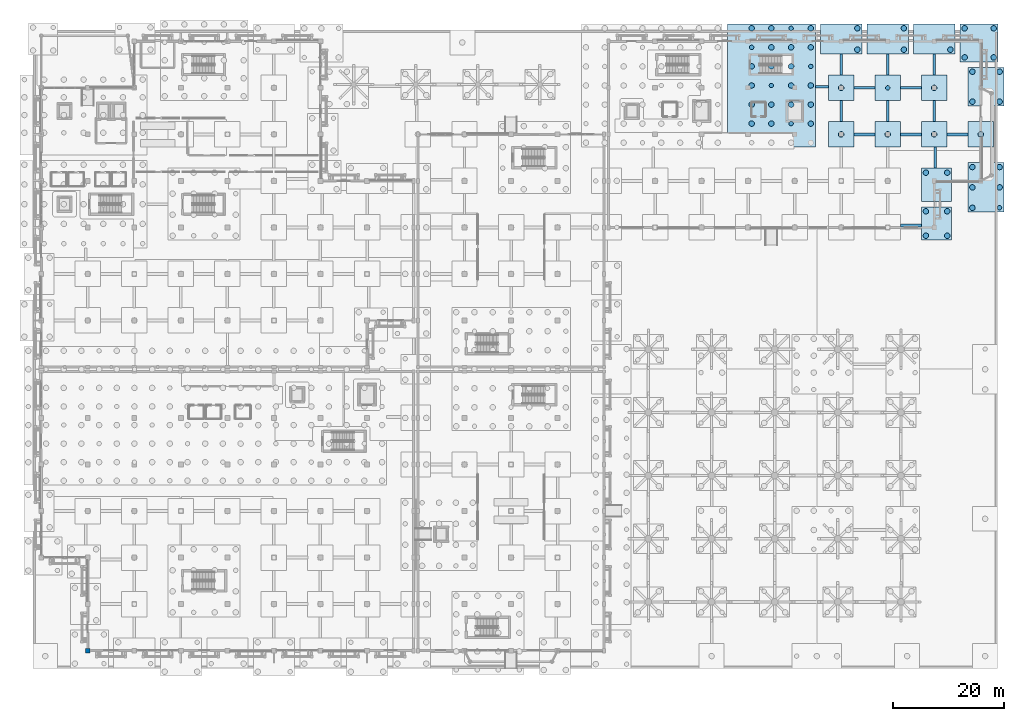
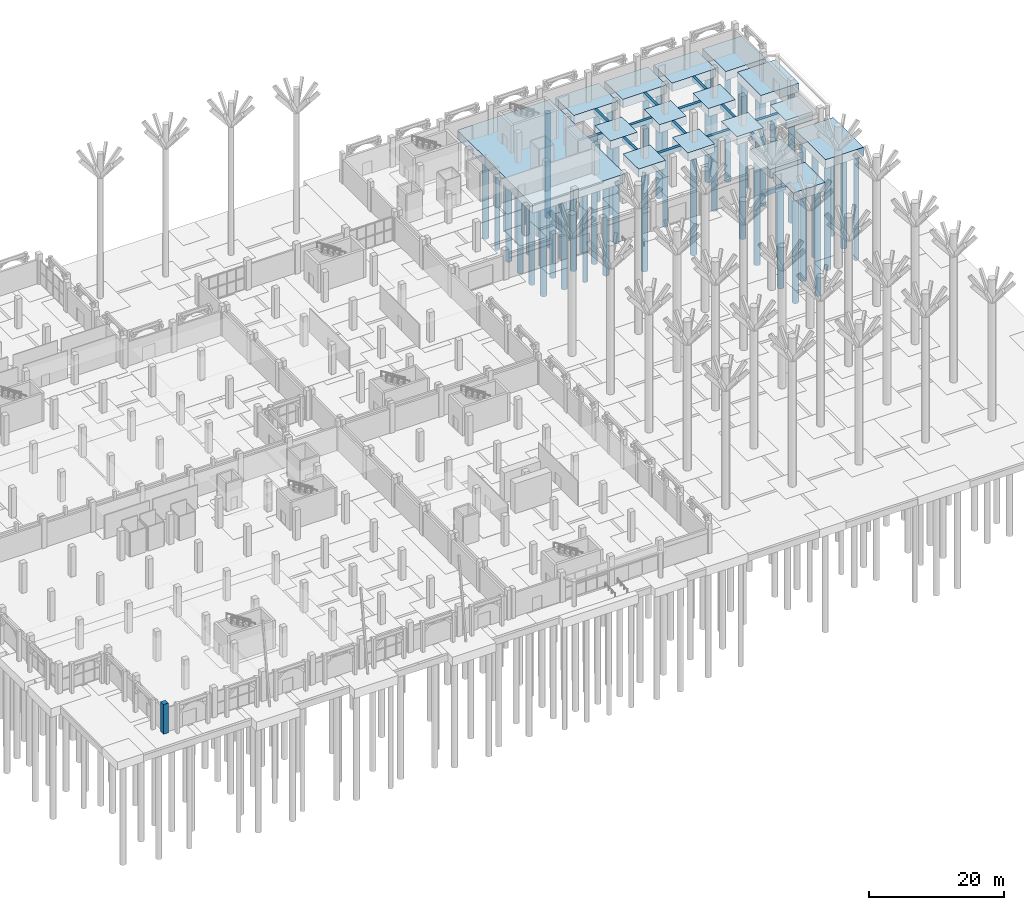
# One storey, part 8 of 98: 56 piles, 30 footings, 1 column.
"""IFC4 building model written with IfcOpenShell, lengths in metres."""

import ifcopenshell
import ifcopenshell.guid

model = None  # the IFC model being written
_history = None  # IfcOwnerHistory: only IFC2X3 demands one
_inside = {}  # id of a spatial element -> (the spatial element, [elements in it])
_under = {}  # id of a project, library or spatial element -> (it, [spatial elements below it])
_declared = {}  # id of a project -> (the project, [libraries it declares])
_typed = {}  # id of a type object -> (the type object, [elements of that type])
_made_of = {}  # id of a material, layer set ... -> (it, [elements and type objects made of it])


def new_model(schema):
    """Start an empty IFC model of exactly this schema.

    Asked for "IFC4X3", IfcOpenShell would pick the latest addendum, in which some entities
    have other attributes; the version numbers below select the first issue.
    IFC2X3 requires an IfcOwnerHistory on every rooted entity: one is made here for all.
    """
    global model, _history
    if schema == "IFC4X3":
        model = ifcopenshell.file(schema_version=(4, 3, 0, 0))
    else:
        model = ifcopenshell.file(schema=schema)
    _inside.clear()
    _under.clear()
    _declared.clear()
    _typed.clear()
    _made_of.clear()
    _history = None
    if model.schema == "IFC2X3":
        org = make("IfcOrganization", Name="unknown")
        user = make(
            "IfcPersonAndOrganization",
            ThePerson=make("IfcPerson", FamilyName="unknown"),
            TheOrganization=org,
        )
        app = make(
            "IfcApplication",
            ApplicationDeveloper=org,
            Version="unknown",
            ApplicationFullName="unknown",
            ApplicationIdentifier="unknown",
        )
        _history = make(
            "IfcOwnerHistory",
            OwningUser=user,
            OwningApplication=app,
            ChangeAction="ADDED",
            CreationDate=0,
        )
    return model


def make(cls, **values):
    """One entity of the class cls with the attributes given. An attribute that is None is left unset."""
    return model.create_entity(
        cls, **{name: value for name, value in values.items() if value is not None}
    )


def rooted(cls, **values):
    """An entity with a GlobalId (a new one), such as an element, a storey or a relation."""
    return make(cls, GlobalId=ifcopenshell.guid.new(), OwnerHistory=_history, **values)


def si_unit(unit_type, name, prefix=None):
    """IfcSIUnit, for example si_unit("LENGTHUNIT", "METRE", prefix="MILLI")."""
    return make("IfcSIUnit", UnitType=unit_type, Prefix=prefix, Name=name)


def assignment(units):
    """IfcUnitAssignment: the units of a project."""
    return None if units is None else make("IfcUnitAssignment", Units=units)


def point(xyz):
    """IfcCartesianPoint."""
    return None if xyz is None else make("IfcCartesianPoint", Coordinates=xyz)


def direction(xyz):
    """IfcDirection."""
    return None if xyz is None else make("IfcDirection", DirectionRatios=xyz)


def frame(location, z_axis=None, x_axis=None):
    """IfcAxis2Placement3D, a coordinate frame: its origin and axes. An axis left out is left unset."""
    return make(
        "IfcAxis2Placement3D",
        Location=point(location),
        Axis=direction(z_axis),
        RefDirection=direction(x_axis),
    )


def frame_2d(location, x_axis=None):
    """IfcAxis2Placement2D, a coordinate frame in the plane: its origin and x axis."""
    return make(
        "IfcAxis2Placement2D", Location=point(location), RefDirection=direction(x_axis)
    )


def origin():
    """The frame at (0, 0, 0) with its axes left unset."""
    return frame((0.0, 0.0, 0.0))


def origin_2d():
    """The frame at (0, 0) in the plane with its x axis left unset."""
    return frame_2d((0.0, 0.0))


def place(relative_to, where):
    """IfcLocalPlacement: puts the frame where relative to a parent placement (None: the world)."""
    return make(
        "IfcLocalPlacement", PlacementRelTo=relative_to, RelativePlacement=where
    )


def context(
    kind, dimensions, precision=None, world=None, true_north=None, identifier=None
):
    """IfcGeometricRepresentationContext, for example the 3D "Model" context."""
    return make(
        "IfcGeometricRepresentationContext",
        ContextIdentifier=identifier,
        ContextType=kind,
        CoordinateSpaceDimension=dimensions,
        Precision=precision,
        WorldCoordinateSystem=world,
        TrueNorth=true_north,
    )


def subcontext(parent, identifier, kind, view, scale=None):
    """IfcGeometricRepresentationSubContext, for example "Body" below "Model"."""
    return make(
        "IfcGeometricRepresentationSubContext",
        ContextIdentifier=identifier,
        ContextType=kind,
        ParentContext=parent,
        TargetScale=scale,
        TargetView=view,
    )


def project(units=None, contexts=None):
    """IfcProject with its units and contexts."""
    return rooted(
        "IfcProject",
        Name="project",
        RepresentationContexts=contexts,
        UnitsInContext=assignment(units),
    )


def spatial(cls, under=None, at=None, **own):
    """A site, building, storey or space (cls), placed at a placement, below another one or the project."""
    s = rooted(cls, ObjectPlacement=at, **own)
    if under is not None:
        _under.setdefault(under.id(), (under, []))[1].append(s)
    return s


def profile(cls, at=None, kind="AREA", **sizes):
    """A parametric profile (cls). Its sizes go by their IFC names, for example OverallWidth=200.0."""
    return make(cls, ProfileType=kind, Position=at, **sizes)


def rectangle(**sizes):
    """IfcRectangleProfileDef."""
    return profile("IfcRectangleProfileDef", **sizes)


def circle(**sizes):
    """IfcCircleProfileDef."""
    return profile("IfcCircleProfileDef", **sizes)


def extrude(swept, where, along, depth):
    """IfcExtrudedAreaSolid: the profile swept, set in the frame where, extruded along a direction by depth."""
    return make(
        "IfcExtrudedAreaSolid",
        SweptArea=swept,
        Position=where,
        ExtrudedDirection=direction(along),
        Depth=depth,
    )


def shape(context_of_items, identifier, shape_type, items):
    """IfcShapeRepresentation: the items that make up one representation, for example the "Body"."""
    return make(
        "IfcShapeRepresentation",
        ContextOfItems=context_of_items,
        RepresentationIdentifier=identifier,
        RepresentationType=shape_type,
        Items=items,
    )


def material(Name=None, Category=None):
    """IfcMaterial."""
    return make("IfcMaterial", Name=Name, Category=Category)


def material_profile(
    of_material, cross_section, Name=None, Category=None, Priority=None
):
    """IfcMaterialProfile: a cross section and its material."""
    return make(
        "IfcMaterialProfile",
        Name=Name,
        Material=of_material,
        Profile=cross_section,
        Priority=Priority,
        Category=Category,
    )


def profile_set(profiles, Name=None, composite=None):
    """IfcMaterialProfileSet."""
    return make(
        "IfcMaterialProfileSet",
        Name=Name,
        MaterialProfiles=profiles,
        CompositeProfile=composite,
    )


def made_of(thing, what):
    """Note that an element or type object is made of a material, layer set ...; save() writes the relation."""
    if what is not None:
        _made_of.setdefault(what.id(), (what, []))[1].append(thing)
    return thing


def type_object(cls, material=None, **own):
    """A type object (cls), such as IfcWallType, which elements share."""
    return made_of(rooted(cls, **own), material)


def element(
    cls,
    number,
    at=None,
    inside=None,
    cuts=None,
    type_object=None,
    material=None,
    context=None,
    identifier="Body",
    shape_type=None,
    held_by="IfcProductDefinitionShape",
    body=None,
    shapes=None,
    **own,
):
    """One element of the class cls, such as IfcWall. Its Tag is "e" and its number.

    at: its placement. inside: the storey or other place that contains it. cuts: it is an
    opening in that element (IfcRelVoidsElement). A single representation is given by context,
    identifier, shape_type and body (its items); several are given by shapes. held_by: the class
    of the entity that holds the representations. save() writes the other relations.
    """
    e = rooted(cls, Tag="e%d" % number, ObjectPlacement=at, **own)
    if body is not None:
        shapes = [shape(context, identifier, shape_type, body)]
    if shapes is not None:
        e.Representation = make(held_by, Representations=shapes)
    if inside is not None:
        _inside.setdefault(inside.id(), (inside, []))[1].append(e)
    if cuts is not None:
        rooted(
            "IfcRelVoidsElement", RelatingBuildingElement=cuts, RelatedOpeningElement=e
        )
    if type_object is not None:
        _typed.setdefault(type_object.id(), (type_object, []))[1].append(e)
    return made_of(e, material)


def aggregate(whole, parts):
    """IfcRelAggregates: a whole, such as a stair, and the parts it consists of."""
    return rooted("IfcRelAggregates", RelatingObject=whole, RelatedObjects=parts)


def save(model, path):
    """Write the relations noted so far, then the file.

    IfcRelAggregates (storeys below a building ...), IfcRelContainedInSpatialStructure (elements
    in a storey), IfcRelDefinesByType, IfcRelAssociatesMaterial and IfcRelDeclares: one each for
    every whole, place, type object, material and project.
    """
    for whole, parts in _under.values():
        aggregate(whole, parts)
    for where, things in _inside.values():
        rooted(
            "IfcRelContainedInSpatialStructure",
            RelatedElements=things,
            RelatingStructure=where,
        )
    for kind, things in _typed.values():
        rooted("IfcRelDefinesByType", RelatedObjects=things, RelatingType=kind)
    for what, things in _made_of.values():
        rooted("IfcRelAssociatesMaterial", RelatedObjects=things, RelatingMaterial=what)
    for by, libraries in _declared.values():
        rooted("IfcRelDeclares", RelatingContext=by, RelatedDefinitions=libraries)
    model.write(path)


model = new_model("IFC4")

# Units and contexts
model_context = context("Model", 3, precision=1e-05, world=origin(), true_north=direction((0.0, 1.0)))
body_context = subcontext(model_context, "Body", "Model", "MODEL_VIEW")
ifc_project = project(units=[si_unit("LENGTHUNIT", "METRE"), si_unit("AREAUNIT", "SQUARE_METRE"), si_unit("VOLUMEUNIT", "CUBIC_METRE"), si_unit("PLANEANGLEUNIT", "RADIAN"), si_unit("MASSUNIT", "GRAM", prefix="KILO")], contexts=[model_context])

# Site, building, storey
site_placement = place(None, origin())
site = spatial("IfcSite", under=ifc_project, at=site_placement, CompositionType="ELEMENT")
building_placement = place(site_placement, origin())
building = spatial("IfcBuilding", under=site, at=building_placement, Name="Xazarin Passage Department Store", CompositionType="ELEMENT")
storey_placement = place(building_placement, origin())
storey = spatial("IfcBuildingStorey", under=building, at=storey_placement, Name="L00", CompositionType="ELEMENT", Elevation=0.0)

# Footings
ifc_material_1 = material(Name="Concrete C35/45", Category="concrete")
footing_type_1 = type_object("IfcFootingType", Name="STR-CAP-PC11", PredefinedType="PILE_CAP", material=ifc_material_1)
for number, where, z_axis, x_axis, name in (
    (1, (144.39990234375, 93.199951171875, -1.5), (0.0, 0.0, 1.0), (1.0, 0.0, 0.0), "Pile Cap 145"),
    (2, (152.800048828125, 93.199951171875, -1.5), (0.0, 0.0, 1.0), (1.0, 0.0, 0.0), "Pile Cap 146"),
    (3, (161.199951171875, 93.199951171875, -1.5), (0.0, 0.0, 1.0), (1.0, 0.0, 0.0), "Pile Cap 147"),
    (4, (169.60009765625, 93.199951171875, -1.5), (0.0, 0.0, 1.0), (1.0, 0.0, 0.0), "Pile Cap 148"),
    (5, (144.39990234375, 101.60009765625, -1.5), (0.0, 0.0, 1.0), (1.0, 0.0, 0.0), "Pile Cap 153"),
    (6, (152.800048828125, 101.60009765625, -1.5), (0.0, 0.0, 1.0), (1.0, 0.0, 0.0), "Pile Cap 154"),
    (7, (161.199951171875, 101.60009765625, -1.5), (0.0, 0.0, 1.0), (1.0, 0.0, 0.0), "Pile Cap 155"),
):
    element("IfcFooting", number, at=place(storey_placement, frame(where, z_axis=z_axis, x_axis=x_axis)), inside=storey, type_object=footing_type_1, Name=name, PredefinedType="PILE_CAP", context=body_context, shape_type="SweptSolid", body=[
        extrude(rectangle(XDim=4.60009765625, YDim=4.60009765625, at=origin_2d()), origin(), (0.0, 0.0, 1.0), 1.5),
    ])
footing_type_2 = type_object("IfcFootingType", Name="STR-CAP-PC27", PredefinedType="PILE_CAP", material=ifc_material_1)
for number, where, z_axis, x_axis, name in (
    (8, (161.625, 77.110107421875, -1.5498046875), (0.0, 0.0, 1.0), (0.0, 1.0, 0.0), "Pile Cap 120"),
    (9, (161.625, 84.090087890625, -1.5498046875), (0.0, 0.0, 1.0), (0.0, 1.0, 0.0), "Pile Cap 122"),
):
    element("IfcFooting", number, at=place(storey_placement, frame(where, z_axis=z_axis, x_axis=x_axis)), inside=storey, type_object=footing_type_2, Name=name, PredefinedType="PILE_CAP", context=body_context, shape_type="SweptSolid", body=[
        extrude(rectangle(XDim=6.0, YDim=5.449951171875, at=origin_2d()), origin(), (0.0, 0.0, 1.0), 1.550048828125),
    ])
footing_type_3 = type_object("IfcFootingType", Name="STR-CAP-PC29", PredefinedType="PILE_CAP", material=ifc_material_1)
footing_1_placement = place(storey_placement, frame((170.550048828125, 83.625, -1.60009765625), z_axis=(0.0, 0.0, 1.0), x_axis=(0.0, 1.0, 0.0)))
element("IfcFooting", 10, at=footing_1_placement, inside=storey, type_object=footing_type_3, Name="Pile Cap 121", PredefinedType="PILE_CAP", context=body_context, shape_type="SweptSolid", body=[
    extrude(rectangle(XDim=8.949951171875, YDim=6.5, at=origin_2d()), origin(), (0.0, 0.0, 1.0), 1.60009765625),
])
footing_type_4 = type_object("IfcFootingType", Name="STR-CAP-PC32", PredefinedType="PILE_CAP", material=ifc_material_1)
footing_2_placement = place(storey_placement, frame((131.800048828125, 102.02490234375, -1.60009765625), z_axis=(0.0, 0.0, 1.0), x_axis=(0.0, 1.0, 0.0)))
element("IfcFooting", 11, at=footing_2_placement, inside=storey, type_object=footing_type_4, Name="Pile Cap 144", PredefinedType="PILE_CAP", context=body_context, shape_type="SweptSolid", body=[
    extrude(rectangle(XDim=22.25, YDim=15.85009765625, at=origin_2d()), origin(), (0.0, 0.0, 1.0), 1.60009765625),
])
footing_type_5 = type_object("IfcFootingType", Name="STR-CAP-PC34", PredefinedType="PILE_CAP", material=ifc_material_1)
footing_3_placement = place(storey_placement, frame((170.550048828125, 101.81005859375, -1.60009765625), z_axis=(0.0, 0.0, 1.0), x_axis=(0.0, 1.0, 0.0)))
element("IfcFooting", 12, at=footing_3_placement, inside=storey, type_object=footing_type_5, Name="Pile Cap 150", PredefinedType="PILE_CAP", context=body_context, shape_type="SweptSolid", body=[
    extrude(rectangle(XDim=7.0, YDim=6.5, at=origin_2d()), origin(), (0.0, 0.0, 1.0), 1.60009765625),
])
footing_type_6 = type_object("IfcFootingType", Name="STR-CAP-PC7", PredefinedType="PILE_CAP", material=ifc_material_1)
footing_4_placement = place(storey_placement, frame((169.31494140625, 109.715087890625, -1.60009765625), z_axis=(0.0, 0.0, 1.0), x_axis=(1.0, 0.0, 0.0)))
element("IfcFooting", 13, at=footing_4_placement, inside=storey, type_object=footing_type_6, Name="Pile Cap 160", PredefinedType="PILE_CAP", context=body_context, shape_type="SweptSolid", body=[
    extrude(rectangle(XDim=6.85009765625, YDim=6.85009765625, at=origin_2d()), origin(), (0.0, 0.0, 1.0), 1.60009765625),
])
footing_type_7 = type_object("IfcFootingType", Name="STR-CAP-PC8", PredefinedType="PILE_CAP", material=ifc_material_1)
for number, where, z_axis, x_axis, name in (
    (14, (144.39990234375, 110.425048828125, -1.5498046875), (0.0, 0.0, 1.0), (1.0, 0.0, 0.0), "Pile Cap 165"),
    (15, (152.800048828125, 110.425048828125, -1.5498046875), (0.0, 0.0, 1.0), (1.0, 0.0, 0.0), "Pile Cap 166"),
    (16, (161.199951171875, 110.425048828125, -1.5498046875), (0.0, 0.0, 1.0), (1.0, 0.0, 0.0), "Pile Cap 167"),
):
    element("IfcFooting", number, at=place(storey_placement, frame(where, z_axis=z_axis, x_axis=x_axis)), inside=storey, type_object=footing_type_7, Name=name, PredefinedType="PILE_CAP", context=body_context, shape_type="SweptSolid", body=[
        extrude(rectangle(XDim=7.449951171875, YDim=5.449951171875, at=origin_2d()), origin(), (0.0, 0.0, 1.0), 1.550048828125),
    ])
ifc_material_profile_1 = material_profile(ifc_material_1, rectangle(XDim=0.449951171875, YDim=0.699951171875, at=origin_2d()), Name="RC 450x700")
ifc_profile_set_1 = profile_set([ifc_material_profile_1], Name="Concrete C35/45")
footing_type_8 = type_object("IfcFootingType", Name="STR-FTG-TB450x700", PredefinedType="FOOTING_BEAM", material=ifc_profile_set_1)
footing_5_placement = place(storey_placement, frame((161.41259765625, 87.090087890625, -0.35009765625), z_axis=(0.0, 1.0, 0.0), x_axis=(-1.0, 0.0, 0.0)))
element("IfcFooting", 17, at=footing_5_placement, inside=storey, type_object=footing_type_8, Name="Ground Tie Beam 138", PredefinedType="FOOTING_BEAM", context=body_context, shape_type="SweptSolid", body=[
    extrude(rectangle(XDim=0.449951171875, YDim=0.699951171875, at=origin_2d()), origin(), (0.0, 0.0, 1.0), 3.809814453125),
])
for number, where, z_axis, x_axis, name in (
    (18, (144.39990234375, 95.5, -0.35009765625), (0.0, 1.0, 0.0), (-1.0, 0.0, 0.0), "Ground Tie Beam 159"),
    (19, (152.800048828125, 95.5, -0.35009765625), (0.0, 1.0, 0.0), (-1.0, 0.0, 0.0), "Ground Tie Beam 161"),
    (20, (161.199951171875, 95.5, -0.35009765625), (0.0, 1.0, 0.0), (-1.0, 0.0, 0.0), "Ground Tie Beam 163"),
    (21, (144.39990234375, 103.89990234375, -0.35009765625), (0.0, 1.0, 0.0), (-1.0, 0.0, 0.0), "Ground Tie Beam 167"),
    (22, (152.800048828125, 103.89990234375, -0.35009765625), (0.0, 1.0, 0.0), (-1.0, 0.0, 0.0), "Ground Tie Beam 169"),
    (23, (161.199951171875, 103.89990234375, -0.35009765625), (0.0, 1.0, 0.0), (-1.0, 0.0, 0.0), "Ground Tie Beam 170"),
):
    element("IfcFooting", number, at=place(storey_placement, frame(where, z_axis=z_axis, x_axis=x_axis)), inside=storey, type_object=footing_type_8, Name=name, PredefinedType="FOOTING_BEAM", context=body_context, shape_type="SweptSolid", body=[
        extrude(rectangle(XDim=0.449951171875, YDim=0.699951171875, at=origin_2d()), origin(), (0.0, 0.0, 1.0), 3.800048828125),
    ])
ifc_material_profile_2 = material_profile(ifc_material_1, rectangle(XDim=0.5, YDim=0.800048828125, at=origin_2d()), Name="RC 500x800")
ifc_profile_set_2 = profile_set([ifc_material_profile_2], Name="Concrete C35/45")
footing_type_9 = type_object("IfcFootingType", Name="STR-FTG-TB500x800", PredefinedType="FOOTING_BEAM", material=ifc_profile_set_2)
footing_6_placement = place(storey_placement, frame((155.10009765625, 76.7548828125, -0.39990234375), z_axis=(1.0, 0.0, 0.0), x_axis=(0.0, 1.0, 0.0)))
element("IfcFooting", 24, at=footing_6_placement, inside=storey, type_object=footing_type_9, Name="Ground Tie Beam 136", PredefinedType="FOOTING_BEAM", context=body_context, shape_type="SweptSolid", body=[
    extrude(rectangle(XDim=0.5, YDim=0.800048828125, at=origin_2d()), origin(), (0.0, 0.0, 1.0), 3.7998046875),
])
footing_7_placement = place(storey_placement, frame((139.72509765625, 101.8125, -0.39990234375), z_axis=(1.0, 0.0, 0.0), x_axis=(0.0, 1.0, 0.0)))
element("IfcFooting", 25, at=footing_7_placement, inside=storey, type_object=footing_type_9, Name="Ground Tie Beam 157", PredefinedType="FOOTING_BEAM", context=body_context, shape_type="SweptSolid", body=[
    extrude(rectangle(XDim=0.5, YDim=0.800048828125, at=origin_2d()), origin(), (0.0, 0.0, 1.0), 2.375),
])
footing_8_placement = place(storey_placement, frame((146.699951171875, 93.199951171875, -0.39990234375), z_axis=(1.0, 0.0, 0.0), x_axis=(0.0, 1.0, 0.0)))
element("IfcFooting", 26, at=footing_8_placement, inside=storey, type_object=footing_type_9, Name="Ground Tie Beam 158", PredefinedType="FOOTING_BEAM", context=body_context, shape_type="SweptSolid", body=[
    extrude(rectangle(XDim=0.5, YDim=0.800048828125, at=origin_2d()), origin(), (0.0, 0.0, 1.0), 3.800048828125),
])
footing_9_placement = place(storey_placement, frame((155.10009765625, 93.199951171875, -0.39990234375), z_axis=(1.0, 0.0, 0.0), x_axis=(0.0, 1.0, 0.0)))
element("IfcFooting", 27, at=footing_9_placement, inside=storey, type_object=footing_type_9, Name="Ground Tie Beam 160", PredefinedType="FOOTING_BEAM", context=body_context, shape_type="SweptSolid", body=[
    extrude(rectangle(XDim=0.5, YDim=0.800048828125, at=origin_2d()), origin(), (0.0, 0.0, 1.0), 3.7998046875),
])
for number, where, z_axis, x_axis, name in (
    (28, (163.5, 93.199951171875, -0.39990234375), (1.0, 0.0, 0.0), (0.0, 1.0, 0.0), "Ground Tie Beam 162"),
    (29, (146.699951171875, 101.60009765625, -0.39990234375), (1.0, 0.0, 0.0), (0.0, 1.0, 0.0), "Ground Tie Beam 166"),
):
    element("IfcFooting", number, at=place(storey_placement, frame(where, z_axis=z_axis, x_axis=x_axis)), inside=storey, type_object=footing_type_9, Name=name, PredefinedType="FOOTING_BEAM", context=body_context, shape_type="SweptSolid", body=[
        extrude(rectangle(XDim=0.5, YDim=0.800048828125, at=origin_2d()), origin(), (0.0, 0.0, 1.0), 3.800048828125),
    ])
footing_10_placement = place(storey_placement, frame((155.10009765625, 101.60009765625, -0.39990234375), z_axis=(1.0, 0.0, 0.0), x_axis=(0.0, 1.0, 0.0)))
element("IfcFooting", 30, at=footing_10_placement, inside=storey, type_object=footing_type_9, Name="Ground Tie Beam 168", PredefinedType="FOOTING_BEAM", context=body_context, shape_type="SweptSolid", body=[
    extrude(rectangle(XDim=0.5, YDim=0.800048828125, at=origin_2d()), origin(), (0.0, 0.0, 1.0), 3.7998046875),
])

# Piles
ifc_material_profile_3 = material_profile(ifc_material_1, circle(Radius=0.5, at=origin_2d()), Name="BP 1000")
ifc_profile_set_3 = profile_set([ifc_material_profile_3], Name="Concrete C35/45")
pile_type_1 = type_object("IfcPileType", Name="STR-PIL-BP1000", PredefinedType="BORED", material=ifc_profile_set_3)
for number, where, z_axis, x_axis, name in (
    (31, (159.699951171875, 74.909912109375, -1.449951171875), (0.0, 0.0, -1.0), (1.0, 0.0, 0.0), "Bored Pile 120-1"),
    (32, (159.699951171875, 79.31005859375, -1.449951171875), (0.0, 0.0, -1.0), (1.0, 0.0, 0.0), "Bored Pile 120-2"),
    (33, (163.550048828125, 74.909912109375, -1.449951171875), (0.0, 0.0, -1.0), (1.0, 0.0, 0.0), "Bored Pile 120-3"),
    (34, (163.550048828125, 79.31005859375, -1.449951171875), (0.0, 0.0, -1.0), (1.0, 0.0, 0.0), "Bored Pile 120-4"),
):
    element("IfcPile", number, at=place(storey_placement, frame(where, z_axis=z_axis, x_axis=x_axis)), inside=storey, type_object=pile_type_1, Name=name, PredefinedType="BORED", context=body_context, shape_type="SweptSolid", body=[
        extrude(circle(Radius=0.5, at=origin_2d()), origin(), (0.0, 0.0, 1.0), 19.050048828125),
    ])
for number, where, z_axis, x_axis, name in (
    (35, (168.10009765625, 79.949951171875, -1.5), (0.0, 0.0, -1.0), (1.0, 0.0, 0.0), "Bored Pile 121-1"),
    (36, (168.10009765625, 83.625, -1.5), (0.0, 0.0, -1.0), (1.0, 0.0, 0.0), "Bored Pile 121-2"),
    (37, (168.10009765625, 87.300048828125, -1.5), (0.0, 0.0, -1.0), (1.0, 0.0, 0.0), "Bored Pile 121-3"),
    (38, (173.0, 83.625, -1.5), (0.0, 0.0, -1.0), (1.0, 0.0, 0.0), "Bored Pile 121-5"),
    (39, (173.0, 87.300048828125, -1.5), (0.0, 0.0, -1.0), (1.0, 0.0, 0.0), "Bored Pile 121-6"),
):
    element("IfcPile", number, at=place(storey_placement, frame(where, z_axis=z_axis, x_axis=x_axis)), inside=storey, type_object=pile_type_1, Name=name, PredefinedType="BORED", context=body_context, shape_type="SweptSolid", body=[
        extrude(circle(Radius=0.5, at=origin_2d()), origin(), (0.0, 0.0, 1.0), 19.0),
    ])
for number, where, z_axis, x_axis, name in (
    (40, (159.699951171875, 86.2900390625, -1.449951171875), (0.0, 0.0, -1.0), (1.0, 0.0, 0.0), "Bored Pile 122-1"),
    (41, (163.550048828125, 86.2900390625, -1.449951171875), (0.0, 0.0, -1.0), (1.0, 0.0, 0.0), "Bored Pile 122-2"),
):
    element("IfcPile", number, at=place(storey_placement, frame(where, z_axis=z_axis, x_axis=x_axis)), inside=storey, type_object=pile_type_1, Name=name, PredefinedType="BORED", context=body_context, shape_type="SweptSolid", body=[
        extrude(circle(Radius=0.5, at=origin_2d()), origin(), (0.0, 0.0, 1.0), 19.050048828125),
    ])
for number, where, z_axis, x_axis, name in (
    (42, (128.237548828125, 95.1416015625, -1.5), (0.0, 0.0, -1.0), (1.0, 0.0, 0.0), "Bored Pile 144-2"),
    (43, (128.237548828125, 98.583251953125, -1.5), (0.0, 0.0, -1.0), (1.0, 0.0, 0.0), "Bored Pile 144-3"),
    (44, (128.237548828125, 102.02490234375, -1.5), (0.0, 0.0, -1.0), (1.0, 0.0, 0.0), "Bored Pile 144-4"),
    (45, (128.237548828125, 105.466796875, -1.5), (0.0, 0.0, -1.0), (1.0, 0.0, 0.0), "Bored Pile 144-5"),
    (46, (128.237548828125, 112.35009765625, -1.5), (0.0, 0.0, -1.0), (1.0, 0.0, 0.0), "Bored Pile 144-7"),
    (47, (131.800048828125, 95.1416015625, -1.5), (0.0, 0.0, -1.0), (1.0, 0.0, 0.0), "Bored Pile 144-9"),
    (48, (131.800048828125, 98.583251953125, -1.5), (0.0, 0.0, -1.0), (1.0, 0.0, 0.0), "Bored Pile 144-10"),
    (49, (131.800048828125, 105.466796875, -1.5), (0.0, 0.0, -1.0), (1.0, 0.0, 0.0), "Bored Pile 144-12"),
    (50, (131.800048828125, 108.908203125, -1.5), (0.0, 0.0, -1.0), (1.0, 0.0, 0.0), "Bored Pile 144-13"),
    (51, (131.800048828125, 112.35009765625, -1.5), (0.0, 0.0, -1.0), (1.0, 0.0, 0.0), "Bored Pile 144-14"),
    (52, (135.362548828125, 98.583251953125, -1.5), (0.0, 0.0, -1.0), (1.0, 0.0, 0.0), "Bored Pile 144-17"),
    (53, (135.362548828125, 102.02490234375, -1.5), (0.0, 0.0, -1.0), (1.0, 0.0, 0.0), "Bored Pile 144-18"),
    (54, (135.362548828125, 105.466796875, -1.5), (0.0, 0.0, -1.0), (1.0, 0.0, 0.0), "Bored Pile 144-19"),
    (55, (135.362548828125, 108.908203125, -1.5), (0.0, 0.0, -1.0), (1.0, 0.0, 0.0), "Bored Pile 144-20"),
    (56, (138.925048828125, 95.1416015625, -1.5), (0.0, 0.0, -1.0), (1.0, 0.0, 0.0), "Bored Pile 144-23"),
    (57, (138.925048828125, 98.583251953125, -1.5), (0.0, 0.0, -1.0), (1.0, 0.0, 0.0), "Bored Pile 144-24"),
    (58, (138.925048828125, 102.02490234375, -1.5), (0.0, 0.0, -1.0), (1.0, 0.0, 0.0), "Bored Pile 144-25"),
    (59, (138.925048828125, 108.908203125, -1.5), (0.0, 0.0, -1.0), (1.0, 0.0, 0.0), "Bored Pile 144-27"),
    (60, (138.925048828125, 112.35009765625, -1.5), (0.0, 0.0, -1.0), (1.0, 0.0, 0.0), "Bored Pile 144-28"),
):
    element("IfcPile", number, at=place(storey_placement, frame(where, z_axis=z_axis, x_axis=x_axis)), inside=storey, type_object=pile_type_1, Name=name, PredefinedType="BORED", context=body_context, shape_type="SweptSolid", body=[
        extrude(circle(Radius=0.5, at=origin_2d()), origin(), (0.0, 0.0, 1.0), 19.0),
    ])
for number, where, z_axis, x_axis, name in (
    (61, (144.39990234375, 93.199951171875, -1.39990234375), (0.0, 0.0, -1.0), (1.0, 0.0, 0.0), "Bored Pile 145-1"),
    (62, (152.800048828125, 93.199951171875, -1.39990234375), (0.0, 0.0, -1.0), (1.0, 0.0, 0.0), "Bored Pile 146-1"),
    (63, (161.199951171875, 93.199951171875, -1.39990234375), (0.0, 0.0, -1.0), (1.0, 0.0, 0.0), "Bored Pile 147-1"),
    (64, (169.60009765625, 93.199951171875, -1.39990234375), (0.0, 0.0, -1.0), (1.0, 0.0, 0.0), "Bored Pile 148-1"),
):
    element("IfcPile", number, at=place(storey_placement, frame(where, z_axis=z_axis, x_axis=x_axis)), inside=storey, type_object=pile_type_1, Name=name, PredefinedType="BORED", context=body_context, shape_type="SweptSolid", body=[
        extrude(circle(Radius=0.5, at=origin_2d()), origin(), (0.0, 0.0, 1.0), 19.10009765625),
    ])
for number, where, z_axis, x_axis, name in (
    (65, (168.10009765625, 99.110107421875, -1.5), (0.0, 0.0, -1.0), (1.0, 0.0, 0.0), "Bored Pile 150-1"),
    (66, (168.10009765625, 104.510009765625, -1.5), (0.0, 0.0, -1.0), (1.0, 0.0, 0.0), "Bored Pile 150-2"),
    (67, (173.0, 99.110107421875, -1.5), (0.0, 0.0, -1.0), (1.0, 0.0, 0.0), "Bored Pile 150-3"),
    (68, (173.0, 104.510009765625, -1.5), (0.0, 0.0, -1.0), (1.0, 0.0, 0.0), "Bored Pile 150-4"),
):
    element("IfcPile", number, at=place(storey_placement, frame(where, z_axis=z_axis, x_axis=x_axis)), inside=storey, type_object=pile_type_1, Name=name, PredefinedType="BORED", context=body_context, shape_type="SweptSolid", body=[
        extrude(circle(Radius=0.5, at=origin_2d()), origin(), (0.0, 0.0, 1.0), 19.0),
    ])
for number, where, z_axis, x_axis, name in (
    (69, (144.39990234375, 101.60009765625, -1.39990234375), (0.0, 0.0, -1.0), (1.0, 0.0, 0.0), "Bored Pile 153-1"),
    (70, (161.199951171875, 101.60009765625, -1.39990234375), (0.0, 0.0, -1.0), (1.0, 0.0, 0.0), "Bored Pile 155-1"),
):
    element("IfcPile", number, at=place(storey_placement, frame(where, z_axis=z_axis, x_axis=x_axis)), inside=storey, type_object=pile_type_1, Name=name, PredefinedType="BORED", context=body_context, shape_type="SweptSolid", body=[
        extrude(circle(Radius=0.5, at=origin_2d()), origin(), (0.0, 0.0, 1.0), 19.10009765625),
    ])
for number, where, z_axis, x_axis, name in (
    (71, (166.68994140625, 107.090087890625, -1.5), (0.0, 0.0, -1.0), (1.0, 0.0, 0.0), "Bored Pile 160-1"),
    (72, (166.68994140625, 112.340087890625, -1.5), (0.0, 0.0, -1.0), (1.0, 0.0, 0.0), "Bored Pile 160-2"),
    (73, (171.93994140625, 107.090087890625, -1.5), (0.0, 0.0, -1.0), (1.0, 0.0, 0.0), "Bored Pile 160-3"),
    (74, (171.93994140625, 112.340087890625, -1.5), (0.0, 0.0, -1.0), (1.0, 0.0, 0.0), "Bored Pile 160-4"),
):
    element("IfcPile", number, at=place(storey_placement, frame(where, z_axis=z_axis, x_axis=x_axis)), inside=storey, type_object=pile_type_1, Name=name, PredefinedType="BORED", context=body_context, shape_type="SweptSolid", body=[
        extrude(circle(Radius=0.5, at=origin_2d()), origin(), (0.0, 0.0, 1.0), 19.0),
    ])
for number, where, z_axis, x_axis, name in (
    (75, (147.324951171875, 108.5, -1.449951171875), (0.0, 0.0, -1.0), (1.0, 0.0, 0.0), "Bored Pile 165-1"),
    (76, (147.324951171875, 112.35009765625, -1.449951171875), (0.0, 0.0, -1.0), (1.0, 0.0, 0.0), "Bored Pile 165-2"),
    (77, (155.72509765625, 108.5, -1.449951171875), (0.0, 0.0, -1.0), (1.0, 0.0, 0.0), "Bored Pile 166-1"),
    (78, (155.72509765625, 112.35009765625, -1.449951171875), (0.0, 0.0, -1.0), (1.0, 0.0, 0.0), "Bored Pile 166-2"),
    (79, (164.125, 108.5, -1.449951171875), (0.0, 0.0, -1.0), (1.0, 0.0, 0.0), "Bored Pile 167-1"),
):
    element("IfcPile", number, at=place(storey_placement, frame(where, z_axis=z_axis, x_axis=x_axis)), inside=storey, type_object=pile_type_1, Name=name, PredefinedType="BORED", context=body_context, shape_type="SweptSolid", body=[
        extrude(circle(Radius=0.5, at=origin_2d()), origin(), (0.0, 0.0, 1.0), 19.050048828125),
    ])
ifc_material_profile_4 = material_profile(ifc_material_1, circle(Radius=0.39990234375, at=origin_2d()), Name="BP 800")
ifc_profile_set_4 = profile_set([ifc_material_profile_4], Name="Concrete C35/45")
pile_type_2 = type_object("IfcPileType", Name="STR-PIL-BP800", PredefinedType="BORED", material=ifc_profile_set_4)
for number, where, z_axis, x_axis, name in (
    (80, (173.0, 79.949951171875, -1.5), (0.0, 0.0, -1.0), (1.0, 0.0, 0.0), "Bored Pile 121-4"),
    (81, (128.237548828125, 108.908203125, -1.5), (0.0, 0.0, -1.0), (1.0, 0.0, 0.0), "Bored Pile 144-6"),
    (82, (131.800048828125, 102.02490234375, -1.5), (0.0, 0.0, -1.0), (1.0, 0.0, 0.0), "Bored Pile 144-11"),
    (83, (135.362548828125, 95.1416015625, -1.5), (0.0, 0.0, -1.0), (1.0, 0.0, 0.0), "Bored Pile 144-16"),
    (84, (135.362548828125, 112.35009765625, -1.5), (0.0, 0.0, -1.0), (1.0, 0.0, 0.0), "Bored Pile 144-21"),
    (85, (138.925048828125, 105.466796875, -1.5), (0.0, 0.0, -1.0), (1.0, 0.0, 0.0), "Bored Pile 144-26"),
):
    element("IfcPile", number, at=place(storey_placement, frame(where, z_axis=z_axis, x_axis=x_axis)), inside=storey, type_object=pile_type_2, Name=name, PredefinedType="BORED", context=body_context, shape_type="SweptSolid", body=[
        extrude(circle(Radius=0.39990234375, at=origin_2d()), origin(), (0.0, 0.0, 1.0), 19.0),
    ])
pile_placement = place(storey_placement, frame((152.800048828125, 101.60009765625, -1.39990234375), z_axis=(0.0, 0.0, -1.0), x_axis=(1.0, 0.0, 0.0)))
element("IfcPile", 86, at=pile_placement, inside=storey, type_object=pile_type_2, Name="Bored Pile 154-1", PredefinedType="BORED", context=body_context, shape_type="SweptSolid", body=[
    extrude(circle(Radius=0.39990234375, at=origin_2d()), origin(), (0.0, 0.0, 1.0), 19.10009765625),
])

# Column
ifc_material_2 = material(Name="Concrete C40/50", Category="concrete")
ifc_material_profile_5 = material_profile(ifc_material_2, rectangle(XDim=0.85009765625, YDim=0.85009765625, at=origin_2d()), Name="RC 850x850")
ifc_profile_set_5 = profile_set([ifc_material_profile_5], Name="Concrete C40/50")
column_type = type_object("IfcColumnType", Name="STR-COL-RC850", PredefinedType="COLUMN", material=ifc_profile_set_5)
column_placement = place(storey_placement, frame((8.39990234375, 0.0, 0.0), z_axis=(0.0, 0.0, 1.0), x_axis=(1.0, 0.0, 0.0)))
element("IfcColumn", 87, at=column_placement, inside=storey, type_object=column_type, Name="L00 Column 2/A", PredefinedType="COLUMN", context=body_context, shape_type="SweptSolid", body=[
    extrude(rectangle(XDim=0.85009765625, YDim=0.85009765625, at=origin_2d()), origin(), (0.0, 0.0, 1.0), 5.39990234375),
])

save(model, "model.ifc")
